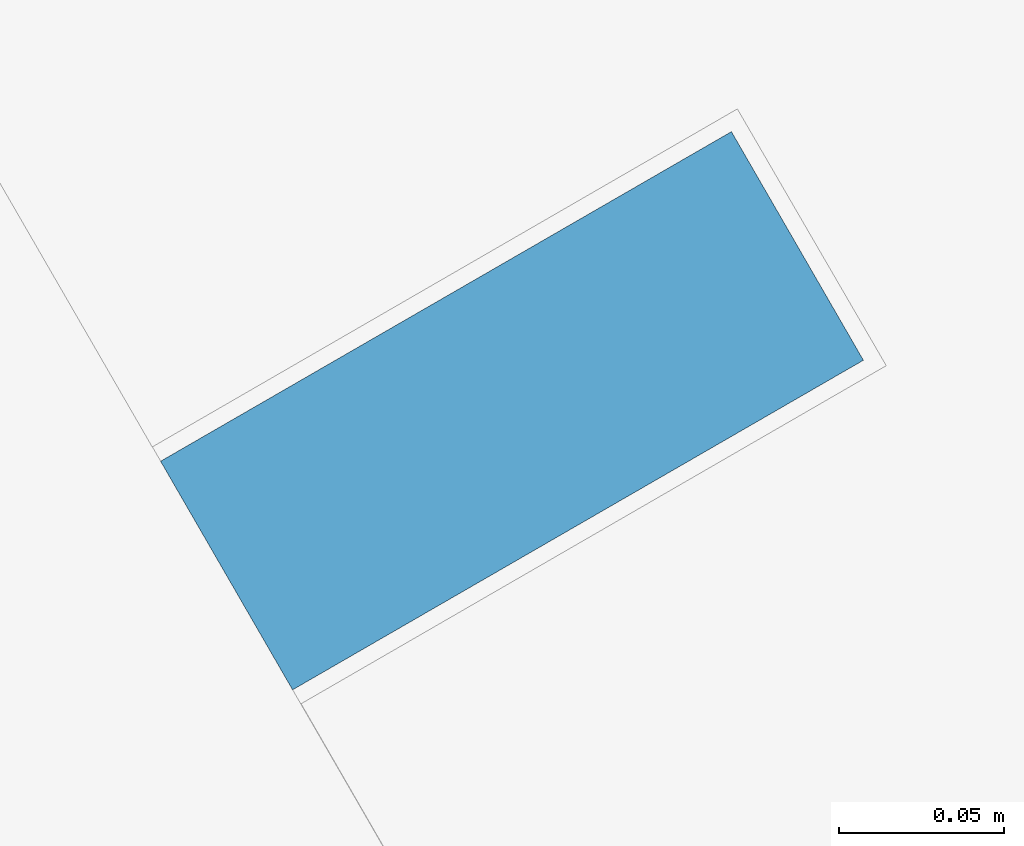
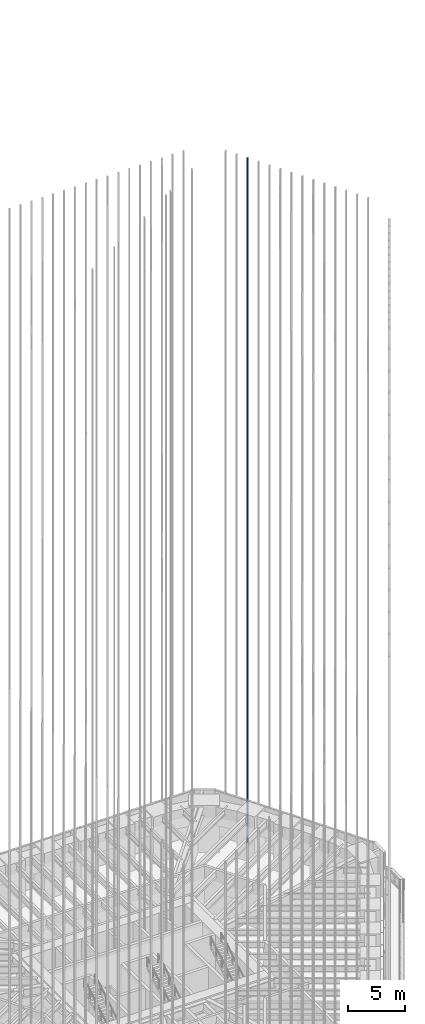
# One storey, part 197 of 228: 1 member, 1 element without a shape of its own.
"""IFC4 building model written with IfcOpenShell, lengths in metres."""

from ifc_helpers import new_model, si_unit, direction, frame, origin, origin_2d, place, context, subcontext, project, spatial, rectangle, extrude, material, material_profile, profile_set, type_object, element, aggregate, save


model = new_model("IFC4")

# Units and contexts
model_context = context("Model", 3, precision=1e-05, world=origin(), true_north=direction((0.0, 1.0)))
body_context = subcontext(model_context, "Body", "Model", "MODEL_VIEW")
ifc_project = project(units=[si_unit("LENGTHUNIT", "METRE"), si_unit("AREAUNIT", "SQUARE_METRE"), si_unit("VOLUMEUNIT", "CUBIC_METRE"), si_unit("PLANEANGLEUNIT", "RADIAN"), si_unit("MASSUNIT", "GRAM", prefix="KILO")], contexts=[model_context])

# Site, building, storey
site_placement = place(None, origin())
site = spatial("IfcSite", under=ifc_project, at=site_placement, CompositionType="ELEMENT")
building_placement = place(site_placement, origin())
building = spatial("IfcBuilding", under=site, at=building_placement, Name="Sandreach Pilgrim Tower", CompositionType="ELEMENT")
storey_placement = place(building_placement, frame((0.0, 0.0, 178.199951171875)))
storey = spatial("IfcBuildingStorey", under=building, at=storey_placement, Name="L44", CompositionType="ELEMENT", Elevation=178.199951171875)

# Curtain wall, member
ifc_material_1 = material(Name="Aluminium framed curtain wall", Category="aluminium")
curtain_wall_type = type_object("IfcCurtainWallType", Name="Upper hotel tower curtain wall", PredefinedType="NOTDEFINED", material=ifc_material_1)
curtain_wall_placement = place(storey_placement, origin())
curtain_wall = element("IfcCurtainWall", 1, at=curtain_wall_placement, inside=storey, type_object=curtain_wall_type, Name="CW-3 L44 NE", PredefinedType="NOTDEFINED")
ifc_material_2 = material(Name="Extruded terracotta on aluminium core", Category="masonry")
ifc_material_profile = material_profile(ifc_material_2, rectangle(XDim=0.080078125, YDim=0.199951171875, at=origin_2d()), Name="TBE 80X200")
ifc_profile_set = profile_set([ifc_material_profile], Name="Extruded terracotta on aluminium core")
member_type = type_object("IfcMemberType", Name="Terracotta baguette east", PredefinedType="USERDEFINED", material=ifc_profile_set)
member_placement = place(storey_placement, frame((20.8193359375, 17.7900390625, 0.0), z_axis=(0.0, 0.0, 1.0), x_axis=(0.5, -0.866025403784, 0.0)))
member = element("IfcMember", 2, at=member_placement, type_object=member_type, Name="Baguette Z3 NE03", ObjectType="BAGUETTE", PredefinedType="USERDEFINED", context=body_context, shape_type="SweptSolid", body=[
    extrude(rectangle(XDim=0.080078125, YDim=0.199951171875, at=origin_2d()), origin(), (0.0, 0.0, 1.0), 73.239990234375),
])
aggregate(curtain_wall, [member])

save(model, "model.ifc")
